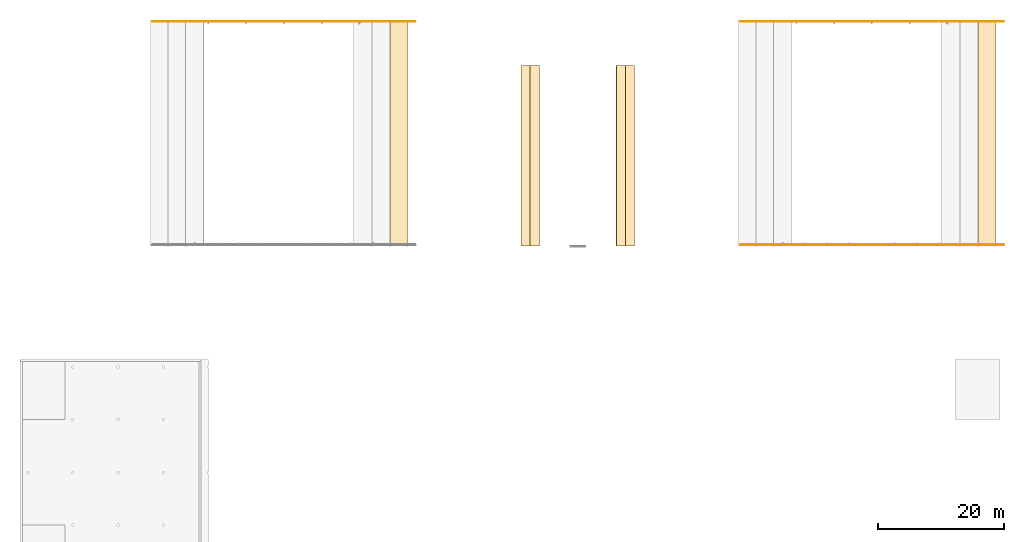
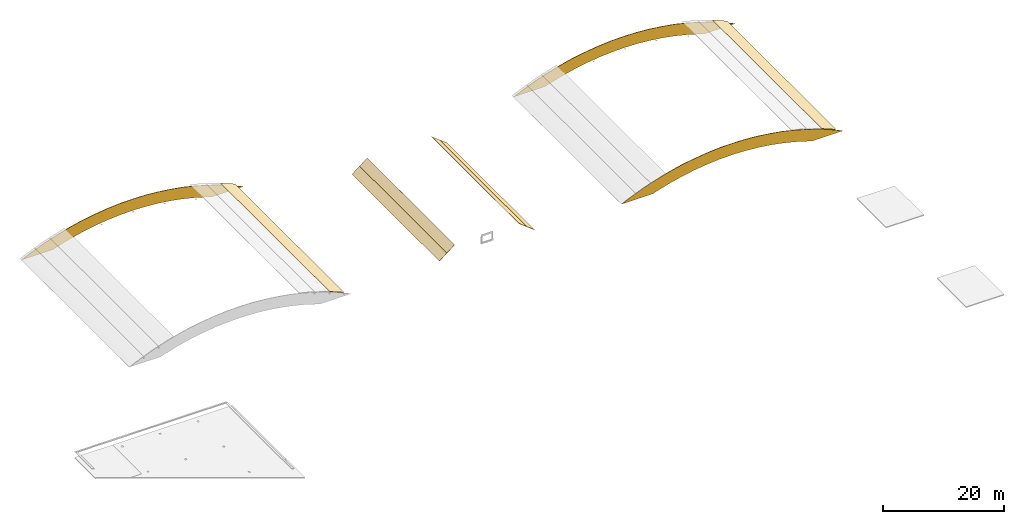
# One storey, part 16 of 17: 9 coverings.
"""IFC4 building model written with IfcOpenShell, lengths in metres."""

from ifc_helpers import new_model, si_unit, direction, frame, origin, place, context, subcontext, project, spatial, polyline, outline, extrude, polygons, material, layer, layer_set, type_object, element, save


model = new_model("IFC4")

# Units and contexts
model_context = context("Model", 3, precision=1e-05, world=origin(), true_north=direction((0.0, 1.0)))
body_context = subcontext(model_context, "Body", "Model", "MODEL_VIEW")
ifc_project = project(units=[si_unit("LENGTHUNIT", "METRE"), si_unit("AREAUNIT", "SQUARE_METRE"), si_unit("VOLUMEUNIT", "CUBIC_METRE"), si_unit("PLANEANGLEUNIT", "RADIAN"), si_unit("MASSUNIT", "GRAM", prefix="KILO")], contexts=[model_context])

# Site, building, storey
site_placement = place(None, origin())
site = spatial("IfcSite", under=ifc_project, at=site_placement, CompositionType="ELEMENT")
building_placement = place(site_placement, origin())
building = spatial("IfcBuilding", under=site, at=building_placement, Name="Verrick Yard Athletic Hall", CompositionType="ELEMENT")
storey_placement = place(building_placement, frame((0.0, 0.0, 18.199951171875)))
storey = spatial("IfcBuildingStorey", under=building, at=storey_placement, Name="Roof", CompositionType="ELEMENT", Elevation=18.199951171875)

# Coverings
ifc_material_1 = material(Name="Standing-seam aluminium roofing", Category="aluminium")
ifc_layer_1 = layer(ifc_material_1, 0.050048828125)
ifc_layer_set_1 = layer_set([ifc_layer_1], Name="Roof covering standing seam")
covering_type_1 = type_object("IfcCoveringType", Name="Roof covering standing seam", PredefinedType="ROOFING", material=ifc_layer_set_1)
covering_1_placement = place(storey_placement, origin())
element("IfcCovering", 1, at=covering_1_placement, inside=storey, type_object=covering_type_1, Name="Court hall A roofing course 16", PredefinedType="ROOFING", context=body_context, shape_type="Tessellation", body=[
    polygons([(162.485107421875, 72.0, 1.9697265625), (165.257080078125, 72.0, 0.823486328125), (162.485107421875, 108.0, 1.9697265625), (165.257080078125, 108.0, 0.823486328125), (162.504150390625, 72.0, 2.015869140625), (165.276123046875, 72.0, 0.86962890625), (162.504150390625, 108.0, 2.015869140625), (165.276123046875, 108.0, 0.86962890625)], [[[1, 4, 2]], [[1, 3, 4]], [[5, 6, 8]], [[5, 8, 7]], [[1, 2, 6]], [[1, 6, 5]], [[3, 8, 4]], [[3, 7, 8]], [[1, 5, 7]], [[1, 7, 3]], [[2, 8, 6]], [[2, 4, 8]]], closed=True),
])
covering_2_placement = place(storey_placement, origin())
element("IfcCovering", 2, at=covering_2_placement, inside=storey, type_object=covering_type_1, Name="Court hall B roofing course 16", PredefinedType="ROOFING", context=body_context, shape_type="Tessellation", body=[
    polygons([(68.885009765625, 72.0, 1.9697265625), (71.656982421875, 72.0, 0.823486328125), (68.885009765625, 108.0, 1.9697265625), (71.656982421875, 108.0, 0.823486328125), (68.904052734375, 72.0, 2.015869140625), (71.676025390625, 72.0, 0.86962890625), (68.904052734375, 108.0, 2.015869140625), (71.676025390625, 108.0, 0.86962890625)], [[[1, 4, 2]], [[1, 3, 4]], [[5, 6, 8]], [[5, 8, 7]], [[1, 2, 6]], [[1, 6, 5]], [[3, 8, 4]], [[3, 7, 8]], [[1, 5, 7]], [[1, 7, 3]], [[2, 8, 6]], [[2, 4, 8]]], closed=True),
])
covering_3_placement = place(storey_placement, origin())
element("IfcCovering", 3, at=covering_3_placement, inside=storey, type_object=covering_type_1, Name="Climbing hall roofing course 2", PredefinedType="ROOFING", context=body_context, shape_type="Tessellation", body=[
    polygons([(89.785888671875, 72.0, 0.7890625), (91.24609375, 72.0, 1.9248046875), (89.785888671875, 100.800048828125, 0.7890625), (91.24609375, 100.800048828125, 1.9248046875), (89.75537109375, 72.0, 0.82861328125), (91.21533203125, 72.0, 1.964111328125), (89.75537109375, 100.800048828125, 0.82861328125), (91.21533203125, 100.800048828125, 1.964111328125)], [[[1, 4, 2]], [[1, 3, 4]], [[5, 6, 8]], [[5, 8, 7]], [[1, 2, 6]], [[1, 6, 5]], [[3, 8, 4]], [[3, 7, 8]], [[1, 5, 7]], [[1, 7, 3]], [[2, 8, 6]], [[2, 4, 8]]], closed=True),
])
covering_4_placement = place(storey_placement, origin())
element("IfcCovering", 4, at=covering_4_placement, inside=storey, type_object=covering_type_1, Name="Climbing hall roofing course 3", PredefinedType="ROOFING", context=body_context, shape_type="Tessellation", body=[
    polygons([(91.24609375, 72.0, 1.9248046875), (92.7060546875, 72.0, 3.060302734375), (91.24609375, 100.800048828125, 1.9248046875), (92.7060546875, 100.800048828125, 3.060302734375), (91.21533203125, 72.0, 1.964111328125), (92.67529296875, 72.0, 3.099853515625), (91.21533203125, 100.800048828125, 1.964111328125), (92.67529296875, 100.800048828125, 3.099853515625)], [[[1, 4, 2]], [[1, 3, 4]], [[5, 6, 8]], [[5, 8, 7]], [[1, 2, 6]], [[1, 6, 5]], [[3, 8, 4]], [[3, 7, 8]], [[1, 5, 7]], [[1, 7, 3]], [[2, 8, 6]], [[2, 4, 8]]], closed=True),
])
covering_5_placement = place(storey_placement, origin())
element("IfcCovering", 5, at=covering_5_placement, inside=storey, type_object=covering_type_1, Name="Climbing hall roofing course 11", PredefinedType="ROOFING", context=body_context, shape_type="Tessellation", body=[
    polygons([(104.89404296875, 72.0, 3.060302734375), (106.35400390625, 72.0, 1.9248046875), (104.89404296875, 100.800048828125, 3.060302734375), (106.35400390625, 100.800048828125, 1.9248046875), (104.9248046875, 72.0, 3.099853515625), (106.384765625, 72.0, 1.964111328125), (104.9248046875, 100.800048828125, 3.099853515625), (106.384765625, 100.800048828125, 1.964111328125)], [[[1, 4, 2]], [[1, 3, 4]], [[5, 6, 8]], [[5, 8, 7]], [[1, 2, 6]], [[1, 6, 5]], [[3, 8, 4]], [[3, 7, 8]], [[1, 5, 7]], [[1, 7, 3]], [[2, 8, 6]], [[2, 4, 8]]], closed=True),
])
covering_6_placement = place(storey_placement, origin())
element("IfcCovering", 6, at=covering_6_placement, inside=storey, type_object=covering_type_1, Name="Climbing hall roofing course 12", PredefinedType="ROOFING", context=body_context, shape_type="Tessellation", body=[
    polygons([(106.35400390625, 72.0, 1.9248046875), (107.81396484375, 72.0, 0.7890625), (106.35400390625, 100.800048828125, 1.9248046875), (107.81396484375, 100.800048828125, 0.7890625), (106.384765625, 72.0, 1.964111328125), (107.8447265625, 72.0, 0.82861328125), (106.384765625, 100.800048828125, 1.964111328125), (107.8447265625, 100.800048828125, 0.82861328125)], [[[1, 4, 2]], [[1, 3, 4]], [[5, 6, 8]], [[5, 8, 7]], [[1, 2, 6]], [[1, 6, 5]], [[3, 8, 4]], [[3, 7, 8]], [[1, 5, 7]], [[1, 7, 3]], [[2, 8, 6]], [[2, 4, 8]]], closed=True),
])
ifc_material_2 = material(Name="Tyndall-stone-look precast cladding", Category="masonry")
ifc_layer_2 = layer(ifc_material_2, 0.125)
ifc_layer_set_2 = layer_set([ifc_layer_2], Name="Stone cladding")
covering_type_2 = type_object("IfcCoveringType", Name="Stone cladding", PredefinedType="CLADDING", material=ifc_layer_set_2)
for number, where, z_axis, x_axis, name in (
    (7, (121.60009765625, 72.23388671875, 0.0), (0.0, 0.0, 1.0), (1.0, 0.0, 0.0), "ENVB-HAS-TYMP-UP"),
    (8, (121.60009765625, 107.76611328125, 0.0), (0.0, 0.0, 1.0), (1.0, 0.0, 0.0), "ENVB-HAN-TYMP-UP"),
    (9, (28.0, 107.76611328125, 0.0), (0.0, 0.0, 1.0), (1.0, 0.0, 0.0), "ENVB-HBN-TYMP-UP"),
):
    element("IfcCovering", number, at=place(storey_placement, frame(where, z_axis=z_axis, x_axis=x_axis)), inside=storey, type_object=covering_type_2, Name=name, PredefinedType="CLADDING", context=body_context, shape_type="SweptSolid", body=[
        extrude(outline(polyline([(4.800048828125, 0.857177734375), (7.199951171875, 1.849365234375), (9.60009765625, 2.63671875), (12.0, 3.322265625), (14.39990234375, 3.8974609375), (16.800048828125, 4.2919921875), (19.199951171875, 4.602294921875), (21.60009765625, 4.790771484375), (24.0, 4.83056640625), (26.39990234375, 4.790771484375), (28.800048828125, 4.602294921875), (31.199951171875, 4.2919921875), (33.60009765625, 3.8974609375), (36.0, 3.322265625), (38.39990234375, 2.63671875), (40.800048828125, 1.849365234375), (43.199951171875, 0.857177734375), (45.0283203125, 0.0), (39.07958984375, 0.0), (38.39990234375, 0.245361328125), (36.0, 0.96435546875), (33.60009765625, 1.54443359375), (31.199951171875, 1.990234375), (28.800048828125, 2.30615234375), (26.39990234375, 2.49462890625), (24.0, 2.55712890625), (21.60009765625, 2.49462890625), (19.199951171875, 2.30615234375), (16.800048828125, 1.990234375), (14.39990234375, 1.54443359375), (12.0, 0.96435546875), (9.60009765625, 0.245361328125), (8.92041015625, 0.0), (2.9716796875, 0.0), (4.800048828125, 0.857177734375)])), frame((0.0, 0.050048828125, 0.0), z_axis=(0.0, -1.0, 0.0), x_axis=(1.0, 0.0, 0.0)), (0.0, 0.0, 1.0), 0.10009765625),
    ])

save(model, "model.ifc")
